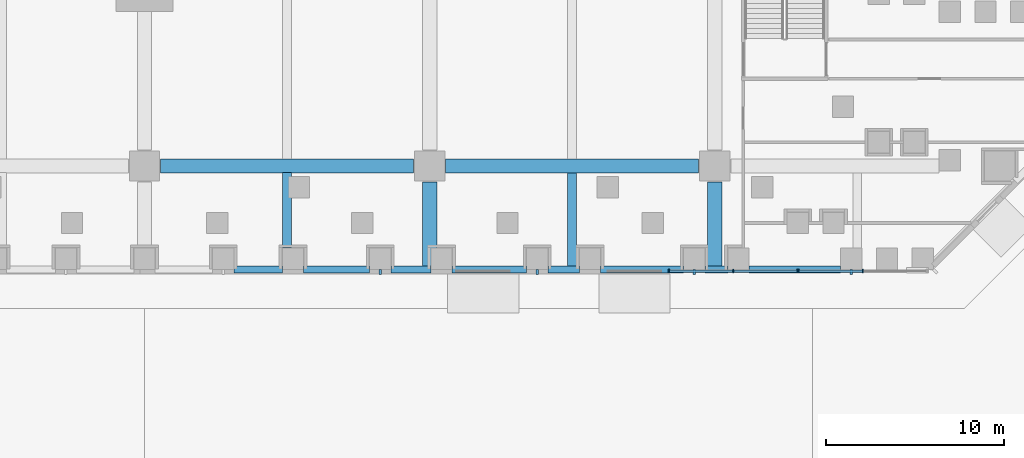
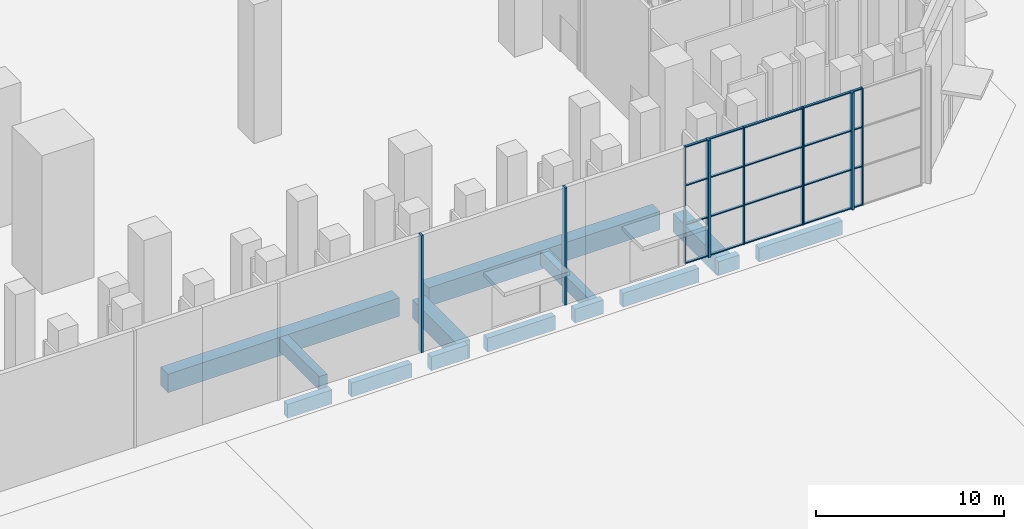
# One storey, part 4 of 51: 21 members, 14 beams, 2 elements without a shape of their own.
"""IFC4 building model written with IfcOpenShell, lengths in metres."""

from ifc_helpers import new_model, si_unit, direction, frame, origin, origin_2d, place, context, subcontext, project, spatial, rectangle, extrude, material, material_profile, profile_set, type_object, element, aggregate, save


model = new_model("IFC4")

# Units and contexts
model_context = context("Model", 3, precision=1e-05, world=origin(), true_north=direction((0.0, 1.0)))
body_context = subcontext(model_context, "Body", "Model", "MODEL_VIEW")
ifc_project = project(units=[si_unit("LENGTHUNIT", "METRE"), si_unit("AREAUNIT", "SQUARE_METRE"), si_unit("VOLUMEUNIT", "CUBIC_METRE"), si_unit("PLANEANGLEUNIT", "RADIAN"), si_unit("MASSUNIT", "GRAM", prefix="KILO")], contexts=[model_context])

# Site, building, storey
site_placement = place(None, origin())
site = spatial("IfcSite", under=ifc_project, at=site_placement, CompositionType="ELEMENT")
building_placement = place(site_placement, origin())
building = spatial("IfcBuilding", under=site, at=building_placement, Name="Calabash Gate Tower", CompositionType="ELEMENT")
storey_placement = place(building_placement, origin())
storey = spatial("IfcBuildingStorey", under=building, at=storey_placement, Name="L00", CompositionType="ELEMENT", Elevation=0.0)

# Beams
ifc_material_1 = material(Name="Concrete C50/60", Category="concrete")
ifc_material_profile_1 = material_profile(ifc_material_1, rectangle(XDim=0.39990234375, YDim=0.89990234375, at=origin_2d()))
ifc_profile_set_1 = profile_set([ifc_material_profile_1], Name="Concrete C50/60")
beam_type_1 = type_object("IfcBeamType", Name="Edge beam RC 400x900 Concrete C50/60", PredefinedType="BEAM", material=ifc_profile_set_1)
beam_1_placement = place(storey_placement, frame((39.069091796875, -45.800048828125, -1.0), z_axis=(-1.0, 0.0, 0.0), x_axis=(0.0, -1.0, 0.0)))
element("IfcBeam", 1, at=beam_1_placement, inside=storey, type_object=beam_type_1, Name="Edge beam L00 35", PredefinedType="BEAM", context=body_context, shape_type="SweptSolid", body=[
    extrude(rectangle(XDim=0.39990234375, YDim=0.89990234375, at=origin_2d()), origin(), (0.0, 0.0, 1.0), 5.132080078125),
])
beam_2_placement = place(storey_placement, frame((32.737060546875, -45.800048828125, -1.0), z_axis=(-1.0, 0.0, 0.0), x_axis=(0.0, -1.0, 0.0)))
element("IfcBeam", 2, at=beam_2_placement, inside=storey, type_object=beam_type_1, Name="Edge beam L00 36", PredefinedType="BEAM", context=body_context, shape_type="SweptSolid", body=[
    extrude(rectangle(XDim=0.39990234375, YDim=0.89990234375, at=origin_2d()), origin(), (0.0, 0.0, 1.0), 1.2841796875),
])
beam_3_placement = place(storey_placement, frame((30.2529296875, -45.800048828125, -1.0), z_axis=(-1.0, 0.0, 0.0), x_axis=(0.0, -1.0, 0.0)))
element("IfcBeam", 3, at=beam_3_placement, inside=storey, type_object=beam_type_1, Name="Edge beam L00 37", PredefinedType="BEAM", context=body_context, shape_type="SweptSolid", body=[
    extrude(rectangle(XDim=0.39990234375, YDim=0.89990234375, at=origin_2d()), origin(), (0.0, 0.0, 1.0), 4.65185546875),
])
beam_4_placement = place(storey_placement, frame((24.40087890625, -45.800048828125, -1.0), z_axis=(-1.0, 0.0, 0.0), x_axis=(0.0, -1.0, 0.0)))
element("IfcBeam", 4, at=beam_4_placement, inside=storey, type_object=beam_type_1, Name="Edge beam L00 38", PredefinedType="BEAM", context=body_context, shape_type="SweptSolid", body=[
    extrude(rectangle(XDim=0.39990234375, YDim=0.89990234375, at=origin_2d()), origin(), (0.0, 0.0, 1.0), 1.762939453125),
])
beam_5_placement = place(storey_placement, frame((21.43798828125, -45.800048828125, -1.0), z_axis=(-1.0, 0.0, 0.0), x_axis=(0.0, -1.0, 0.0)))
element("IfcBeam", 5, at=beam_5_placement, inside=storey, type_object=beam_type_1, Name="Edge beam L00 39", PredefinedType="BEAM", context=body_context, shape_type="SweptSolid", body=[
    extrude(rectangle(XDim=0.39990234375, YDim=0.89990234375, at=origin_2d()), origin(), (0.0, 0.0, 1.0), 4.169921875),
])
beam_6_placement = place(storey_placement, frame((16.06689453125, -45.800048828125, -1.0), z_axis=(-1.0, 0.0, 0.0), x_axis=(0.0, -1.0, 0.0)))
element("IfcBeam", 6, at=beam_6_placement, inside=storey, type_object=beam_type_1, Name="Edge beam L00 40", PredefinedType="BEAM", context=body_context, shape_type="SweptSolid", body=[
    extrude(rectangle(XDim=0.39990234375, YDim=0.89990234375, at=origin_2d()), origin(), (0.0, 0.0, 1.0), 2.243896484375),
])
beam_7_placement = place(storey_placement, frame((12.623046875, -45.800048828125, -1.0), z_axis=(-1.0, 0.0, 0.0), x_axis=(0.0, -1.0, 0.0)))
element("IfcBeam", 7, at=beam_7_placement, inside=storey, type_object=beam_type_1, Name="Edge beam L00 41", PredefinedType="BEAM", context=body_context, shape_type="SweptSolid", body=[
    extrude(rectangle(XDim=0.39990234375, YDim=0.89990234375, at=origin_2d()), origin(), (0.0, 0.0, 1.0), 3.68896484375),
])
beam_8_placement = place(storey_placement, frame((7.73388671875, -45.800048828125, -1.0), z_axis=(-1.0, 0.0, 0.0), x_axis=(0.0, -1.0, 0.0)))
element("IfcBeam", 8, at=beam_8_placement, inside=storey, type_object=beam_type_1, Name="Edge beam L00 42", PredefinedType="BEAM", context=body_context, shape_type="SweptSolid", body=[
    extrude(rectangle(XDim=0.39990234375, YDim=0.89990234375, at=origin_2d()), origin(), (0.0, 0.0, 1.0), 2.725830078125),
])
ifc_material_2 = material(Name="Concrete C50/60", Category="concrete")
ifc_material_profile_2 = material_profile(ifc_material_2, rectangle(XDim=0.5, YDim=0.89990234375, at=origin_2d()))
ifc_profile_set_2 = profile_set([ifc_material_profile_2], Name="Concrete C50/60")
beam_type_2 = type_object("IfcBeamType", Name="Floor beam RC 500x900 Concrete C50/60", PredefinedType="BEAM", material=ifc_profile_set_2)
beam_9_placement = place(storey_placement, frame((8.0, -44.60009765625, -1.0), z_axis=(0.0, 1.0, 0.0), x_axis=(-1.0, 0.0, 0.0)))
element("IfcBeam", 9, at=beam_9_placement, inside=storey, type_object=beam_type_2, Name="Floor beam L00 12", PredefinedType="BEAM", context=body_context, shape_type="SweptSolid", body=[
    extrude(rectangle(XDim=0.5, YDim=0.89990234375, at=origin_2d()), origin(), (0.0, 0.0, 1.0), 4.232177734375),
])
beam_10_placement = place(storey_placement, frame((24.0, -45.60009765625, -1.0), z_axis=(0.0, 1.0, 0.0), x_axis=(-1.0, 0.0, 0.0)))
element("IfcBeam", 10, at=beam_10_placement, inside=storey, type_object=beam_type_2, Name="Floor beam L00 16", PredefinedType="BEAM", context=body_context, shape_type="SweptSolid", body=[
    extrude(rectangle(XDim=0.5, YDim=0.89990234375, at=origin_2d()), origin(), (0.0, 0.0, 1.0), 5.2001953125),
])
ifc_material_3 = material(Name="Concrete C50/60", Category="concrete")
ifc_material_profile_3 = material_profile(ifc_material_3, rectangle(XDim=0.800048828125, YDim=1.199951171875, at=origin_2d()))
ifc_profile_set_3 = profile_set([ifc_material_profile_3], Name="Concrete C50/60")
beam_type_3 = type_object("IfcBeamType", Name="Grid girder RC 800x1200 Concrete C50/60", PredefinedType="BEAM", material=ifc_profile_set_3)
beam_11_placement = place(storey_placement, frame((16.0, -45.632080078125, -1.14990234375), z_axis=(0.0, 1.0, 0.0), x_axis=(-1.0, 0.0, 0.0)))
element("IfcBeam", 11, at=beam_11_placement, inside=storey, type_object=beam_type_3, Name="Grid girder L00 18", PredefinedType="BEAM", context=body_context, shape_type="SweptSolid", body=[
    extrude(rectangle(XDim=0.800048828125, YDim=1.199951171875, at=origin_2d()), origin(), (0.0, 0.0, 1.0), 4.732177734375),
])
beam_12_placement = place(storey_placement, frame((32.0, -45.60009765625, -1.14990234375), z_axis=(0.0, 1.0, 0.0), x_axis=(-1.0, 0.0, 0.0)))
element("IfcBeam", 12, at=beam_12_placement, inside=storey, type_object=beam_type_3, Name="Grid girder L00 23", PredefinedType="BEAM", context=body_context, shape_type="SweptSolid", body=[
    extrude(rectangle(XDim=0.800048828125, YDim=1.199951171875, at=origin_2d()), origin(), (0.0, 0.0, 1.0), 4.7001953125),
])
for number, where, z_axis, x_axis, name in (
    (13, (0.89990234375, -40.0, -1.14990234375), (1.0, 0.0, 0.0), (0.0, 1.0, 0.0), "Grid girder L00 32"),
    (14, (16.89990234375, -40.0, -1.14990234375), (1.0, 0.0, 0.0), (0.0, 1.0, 0.0), "Grid girder L00 33"),
):
    element("IfcBeam", number, at=place(storey_placement, frame(where, z_axis=z_axis, x_axis=x_axis)), inside=storey, type_object=beam_type_3, Name=name, PredefinedType="BEAM", context=body_context, shape_type="SweptSolid", body=[
        extrude(rectangle(XDim=0.800048828125, YDim=1.199951171875, at=origin_2d()), origin(), (0.0, 0.0, 1.0), 14.2001953125),
    ])

# Curtain wall, members
ifc_material_4 = material(Name="Anodised aluminium frame, bronze finish, clear laminated impact-rated glazing", Category="aluminium")
curtain_wall_type = type_object("IfcCurtainWallType", Name="Curtain wall CWF podium shopfront", PredefinedType="NOTDEFINED", material=ifc_material_4)
curtain_wall_1_placement = place(storey_placement, origin())
curtain_wall_1 = element("IfcCurtainWall", 15, at=curtain_wall_1_placement, inside=storey, type_object=curtain_wall_type, Name="Curtain wall CWF L00 0.1.0", PredefinedType="NOTDEFINED")
ifc_material_5 = material(Name="Anodised aluminium frame, bronze finish", Category="aluminium")
ifc_material_profile_4 = material_profile(ifc_material_5, rectangle(XDim=0.199951171875, YDim=0.06494140625, at=origin_2d()))
ifc_profile_set_4 = profile_set([ifc_material_profile_4], Name="Anodised aluminium frame, bronze finish")
member_type_1 = type_object("IfcMemberType", Name="Mullion CWF 65x200", PredefinedType="MULLION", material=ifc_profile_set_4)
member_1_placement = place(storey_placement, frame((29.4365234375, -45.89990234375, 0.0), z_axis=(0.0, 0.0, 1.0), x_axis=(0.0, 1.0, 0.0)))
member_1 = element("IfcMember", 16, at=member_1_placement, type_object=member_type_1, Name="CWF mullion 1", PredefinedType="MULLION", context=body_context, shape_type="SweptSolid", body=[
    extrude(rectangle(XDim=0.199951171875, YDim=0.06494140625, at=origin_2d()), origin(), (0.0, 0.0, 1.0), 7.60009765625),
])
member_2_placement = place(storey_placement, frame((33.04052734375, -45.89990234375, 0.0), z_axis=(0.0, 0.0, 1.0), x_axis=(0.0, 1.0, 0.0)))
member_2 = element("IfcMember", 17, at=member_2_placement, type_object=member_type_1, Name="CWF mullion 2", PredefinedType="MULLION", context=body_context, shape_type="SweptSolid", body=[
    extrude(rectangle(XDim=0.199951171875, YDim=0.06494140625, at=origin_2d()), origin(), (0.0, 0.0, 1.0), 7.60009765625),
])
member_3_placement = place(storey_placement, frame((36.64453125, -45.89990234375, 0.0), z_axis=(0.0, 0.0, 1.0), x_axis=(0.0, 1.0, 0.0)))
member_3 = element("IfcMember", 18, at=member_3_placement, type_object=member_type_1, Name="CWF mullion 3", PredefinedType="MULLION", context=body_context, shape_type="SweptSolid", body=[
    extrude(rectangle(XDim=0.199951171875, YDim=0.06494140625, at=origin_2d()), origin(), (0.0, 0.0, 1.0), 7.60009765625),
])

curtain_wall_2_placement = place(storey_placement, origin())
curtain_wall_2 = element("IfcCurtainWall", 19, at=curtain_wall_2_placement, inside=storey, type_object=curtain_wall_type, Name="Curtain wall CWF L00 0.1.1", PredefinedType="NOTDEFINED")
member_4_placement = place(storey_placement, frame((36.70947265625, -45.89990234375, 0.0), z_axis=(0.0, 0.0, 1.0), x_axis=(0.0, 1.0, 0.0)))
member_4 = element("IfcMember", 20, at=member_4_placement, type_object=member_type_1, Name="CWF mullion 1", PredefinedType="MULLION", context=body_context, shape_type="SweptSolid", body=[
    extrude(rectangle(XDim=0.199951171875, YDim=0.06494140625, at=origin_2d()), origin(), (0.0, 0.0, 1.0), 7.60009765625),
])
member_5_placement = place(storey_placement, frame((40.3134765625, -45.89990234375, 0.0), z_axis=(0.0, 0.0, 1.0), x_axis=(0.0, 1.0, 0.0)))
member_5 = element("IfcMember", 21, at=member_5_placement, type_object=member_type_1, Name="CWF mullion 2", PredefinedType="MULLION", context=body_context, shape_type="SweptSolid", body=[
    extrude(rectangle(XDim=0.199951171875, YDim=0.06494140625, at=origin_2d()), origin(), (0.0, 0.0, 1.0), 7.60009765625),
])

# Members
ifc_material_6 = material(Name="Terracotta brick masonry, baguette fin", Category="masonry")
ifc_material_profile_5 = material_profile(ifc_material_6, rectangle(XDim=0.139892578125, YDim=0.300048828125, at=origin_2d()))
ifc_profile_set_5 = profile_set([ifc_material_profile_5], Name="Terracotta brick masonry, baguette fin")
member_type_2 = type_object("IfcMemberType", Name="Terracotta baguette 140x300", PredefinedType="USERDEFINED", material=ifc_profile_set_5)
for number, where, z_axis, x_axis, name in (
    (22, (13.222900390625, -45.949951171875, 0.0), (0.0, 0.0, 1.0), (1.0, 0.0, 0.0), "BAGUETTE L00 8"),
    (23, (22.0380859375, -45.949951171875, 0.0), (0.0, 0.0, 1.0), (1.0, 0.0, 0.0), "BAGUETTE L00 9"),
    (24, (30.85302734375, -45.949951171875, 0.0), (0.0, 0.0, 1.0), (1.0, 0.0, 0.0), "BAGUETTE L00 10"),
    (25, (39.6689453125, -45.949951171875, 0.0), (0.0, 0.0, 1.0), (1.0, 0.0, 0.0), "BAGUETTE L00 11"),
):
    element("IfcMember", number, at=place(storey_placement, frame(where, z_axis=z_axis, x_axis=x_axis)), inside=storey, type_object=member_type_2, Name=name, ObjectType="BAGUETTE", PredefinedType="USERDEFINED", context=body_context, shape_type="SweptSolid", body=[
        extrude(rectangle(XDim=0.139892578125, YDim=0.300048828125, at=origin_2d()), origin(), (0.0, 0.0, 1.0), 7.60009765625),
    ])

# Member
ifc_material_7 = material(Name="Anodised aluminium frame, bronze finish", Category="aluminium")
ifc_material_profile_6 = material_profile(ifc_material_7, rectangle(XDim=0.14990234375, YDim=0.06494140625, at=origin_2d()))
ifc_profile_set_6 = profile_set([ifc_material_profile_6], Name="Anodised aluminium frame, bronze finish")
member_type_3 = type_object("IfcMemberType", Name="Transom CWF 65x150", PredefinedType="USERDEFINED", material=ifc_profile_set_6)
member_6_placement = place(storey_placement, frame((29.468994140625, -45.89990234375, 0.032470703125), z_axis=(1.0, 0.0, 0.0), x_axis=(0.0, 1.0, 0.0)))
member_6 = element("IfcMember", 26, at=member_6_placement, type_object=member_type_3, Name="CWF transom 1.1", ObjectType="TRANSOM", PredefinedType="USERDEFINED", context=body_context, shape_type="SweptSolid", body=[
    extrude(rectangle(XDim=0.14990234375, YDim=0.06494140625, at=origin_2d()), origin(), (0.0, 0.0, 1.0), 3.5390625),
])

member_7_placement = place(storey_placement, frame((29.468994140625, -45.89990234375, 2.533447265625), z_axis=(1.0, 0.0, 0.0), x_axis=(0.0, 1.0, 0.0)))
member_7 = element("IfcMember", 27, at=member_7_placement, type_object=member_type_3, Name="CWF transom 1.2", ObjectType="TRANSOM", PredefinedType="USERDEFINED", context=body_context, shape_type="SweptSolid", body=[
    extrude(rectangle(XDim=0.14990234375, YDim=0.06494140625, at=origin_2d()), origin(), (0.0, 0.0, 1.0), 3.5390625),
])

member_8_placement = place(storey_placement, frame((29.468994140625, -45.89990234375, 5.066650390625), z_axis=(1.0, 0.0, 0.0), x_axis=(0.0, 1.0, 0.0)))
member_8 = element("IfcMember", 28, at=member_8_placement, type_object=member_type_3, Name="CWF transom 1.3", ObjectType="TRANSOM", PredefinedType="USERDEFINED", context=body_context, shape_type="SweptSolid", body=[
    extrude(rectangle(XDim=0.14990234375, YDim=0.06494140625, at=origin_2d()), origin(), (0.0, 0.0, 1.0), 3.5390625),
])

member_9_placement = place(storey_placement, frame((29.468994140625, -45.89990234375, 7.5673828125), z_axis=(1.0, 0.0, 0.0), x_axis=(0.0, 1.0, 0.0)))
member_9 = element("IfcMember", 29, at=member_9_placement, type_object=member_type_3, Name="CWF transom 1.4", ObjectType="TRANSOM", PredefinedType="USERDEFINED", context=body_context, shape_type="SweptSolid", body=[
    extrude(rectangle(XDim=0.14990234375, YDim=0.06494140625, at=origin_2d()), origin(), (0.0, 0.0, 1.0), 3.5390625),
])

member_10_placement = place(storey_placement, frame((33.072998046875, -45.89990234375, 0.032470703125), z_axis=(1.0, 0.0, 0.0), x_axis=(0.0, 1.0, 0.0)))
member_10 = element("IfcMember", 30, at=member_10_placement, type_object=member_type_3, Name="CWF transom 2.1", ObjectType="TRANSOM", PredefinedType="USERDEFINED", context=body_context, shape_type="SweptSolid", body=[
    extrude(rectangle(XDim=0.14990234375, YDim=0.06494140625, at=origin_2d()), origin(), (0.0, 0.0, 1.0), 3.5390625),
])

member_11_placement = place(storey_placement, frame((33.072998046875, -45.89990234375, 2.533447265625), z_axis=(1.0, 0.0, 0.0), x_axis=(0.0, 1.0, 0.0)))
member_11 = element("IfcMember", 31, at=member_11_placement, type_object=member_type_3, Name="CWF transom 2.2", ObjectType="TRANSOM", PredefinedType="USERDEFINED", context=body_context, shape_type="SweptSolid", body=[
    extrude(rectangle(XDim=0.14990234375, YDim=0.06494140625, at=origin_2d()), origin(), (0.0, 0.0, 1.0), 3.5390625),
])

member_12_placement = place(storey_placement, frame((33.072998046875, -45.89990234375, 5.066650390625), z_axis=(1.0, 0.0, 0.0), x_axis=(0.0, 1.0, 0.0)))
member_12 = element("IfcMember", 32, at=member_12_placement, type_object=member_type_3, Name="CWF transom 2.3", ObjectType="TRANSOM", PredefinedType="USERDEFINED", context=body_context, shape_type="SweptSolid", body=[
    extrude(rectangle(XDim=0.14990234375, YDim=0.06494140625, at=origin_2d()), origin(), (0.0, 0.0, 1.0), 3.5390625),
])

member_13_placement = place(storey_placement, frame((33.072998046875, -45.89990234375, 7.5673828125), z_axis=(1.0, 0.0, 0.0), x_axis=(0.0, 1.0, 0.0)))
member_13 = element("IfcMember", 33, at=member_13_placement, type_object=member_type_3, Name="CWF transom 2.4", ObjectType="TRANSOM", PredefinedType="USERDEFINED", context=body_context, shape_type="SweptSolid", body=[
    extrude(rectangle(XDim=0.14990234375, YDim=0.06494140625, at=origin_2d()), origin(), (0.0, 0.0, 1.0), 3.5390625),
])

aggregate(curtain_wall_1, [member_1, member_2, member_3, member_6, member_7, member_8, member_9, member_10, member_11, member_12, member_13])

member_14_placement = place(storey_placement, frame((36.741943359375, -45.89990234375, 0.032470703125), z_axis=(1.0, 0.0, 0.0), x_axis=(0.0, 1.0, 0.0)))
member_14 = element("IfcMember", 34, at=member_14_placement, type_object=member_type_3, Name="CWF transom 1.1", ObjectType="TRANSOM", PredefinedType="USERDEFINED", context=body_context, shape_type="SweptSolid", body=[
    extrude(rectangle(XDim=0.14990234375, YDim=0.06494140625, at=origin_2d()), origin(), (0.0, 0.0, 1.0), 3.5390625),
])

member_15_placement = place(storey_placement, frame((36.741943359375, -45.89990234375, 2.533447265625), z_axis=(1.0, 0.0, 0.0), x_axis=(0.0, 1.0, 0.0)))
member_15 = element("IfcMember", 35, at=member_15_placement, type_object=member_type_3, Name="CWF transom 1.2", ObjectType="TRANSOM", PredefinedType="USERDEFINED", context=body_context, shape_type="SweptSolid", body=[
    extrude(rectangle(XDim=0.14990234375, YDim=0.06494140625, at=origin_2d()), origin(), (0.0, 0.0, 1.0), 3.5390625),
])

member_16_placement = place(storey_placement, frame((36.741943359375, -45.89990234375, 5.066650390625), z_axis=(1.0, 0.0, 0.0), x_axis=(0.0, 1.0, 0.0)))
member_16 = element("IfcMember", 36, at=member_16_placement, type_object=member_type_3, Name="CWF transom 1.3", ObjectType="TRANSOM", PredefinedType="USERDEFINED", context=body_context, shape_type="SweptSolid", body=[
    extrude(rectangle(XDim=0.14990234375, YDim=0.06494140625, at=origin_2d()), origin(), (0.0, 0.0, 1.0), 3.5390625),
])

member_17_placement = place(storey_placement, frame((36.741943359375, -45.89990234375, 7.5673828125), z_axis=(1.0, 0.0, 0.0), x_axis=(0.0, 1.0, 0.0)))
member_17 = element("IfcMember", 37, at=member_17_placement, type_object=member_type_3, Name="CWF transom 1.4", ObjectType="TRANSOM", PredefinedType="USERDEFINED", context=body_context, shape_type="SweptSolid", body=[
    extrude(rectangle(XDim=0.14990234375, YDim=0.06494140625, at=origin_2d()), origin(), (0.0, 0.0, 1.0), 3.5390625),
])

aggregate(curtain_wall_2, [member_4, member_5, member_14, member_15, member_16, member_17])

save(model, "model.ifc")
